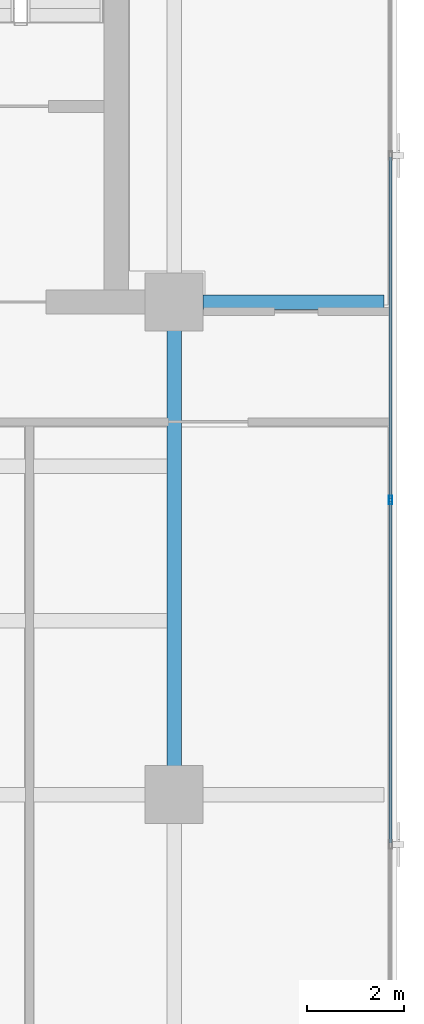
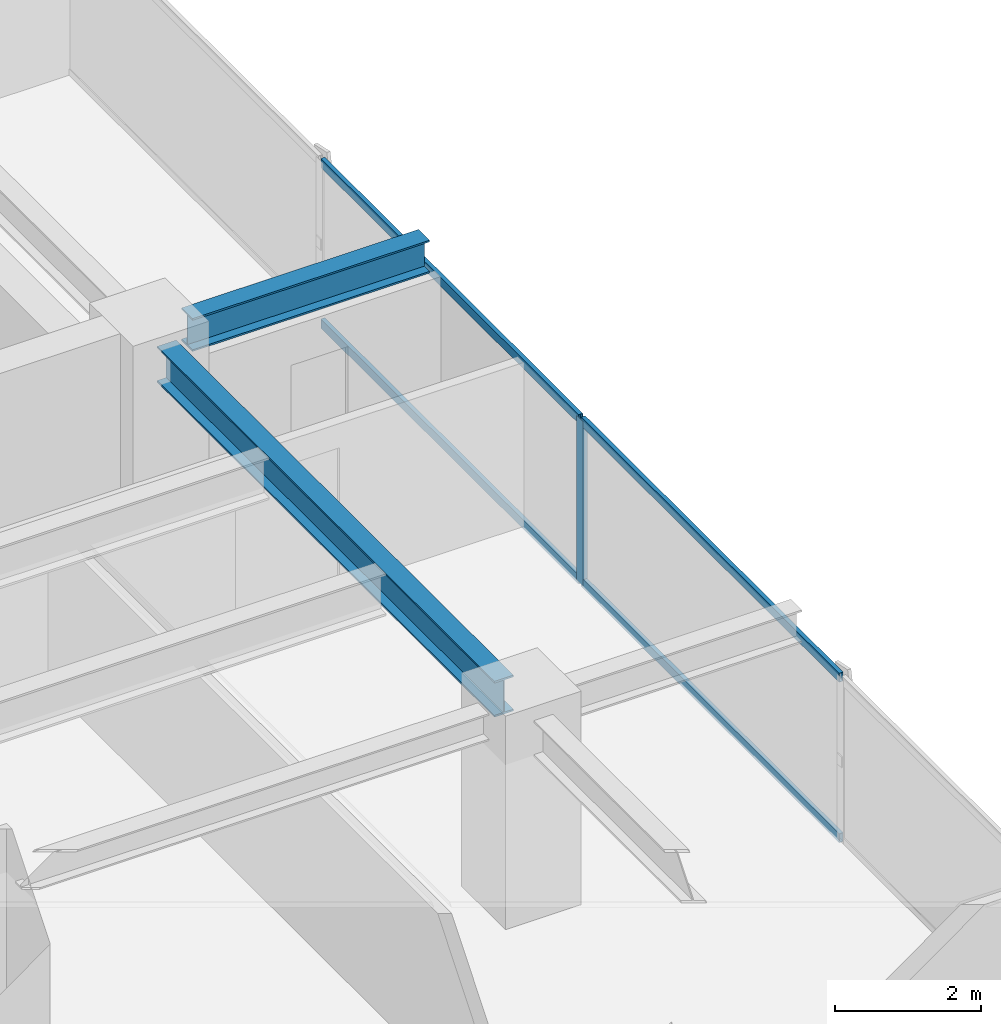
# One storey, part 9 of 22: 5 members, 2 beams, 1 element without a shape of its own.
"""IFC4 building model written with IfcOpenShell, lengths in metres."""

import ifcopenshell
import ifcopenshell.guid

model = None  # the IFC model being written
_history = None  # IfcOwnerHistory: only IFC2X3 demands one
_inside = {}  # id of a spatial element -> (the spatial element, [elements in it])
_under = {}  # id of a project, library or spatial element -> (it, [spatial elements below it])
_declared = {}  # id of a project -> (the project, [libraries it declares])
_typed = {}  # id of a type object -> (the type object, [elements of that type])
_made_of = {}  # id of a material, layer set ... -> (it, [elements and type objects made of it])


def new_model(schema):
    """Start an empty IFC model of exactly this schema.

    Asked for "IFC4X3", IfcOpenShell would pick the latest addendum, in which some entities
    have other attributes; the version numbers below select the first issue.
    IFC2X3 requires an IfcOwnerHistory on every rooted entity: one is made here for all.
    """
    global model, _history
    if schema == "IFC4X3":
        model = ifcopenshell.file(schema_version=(4, 3, 0, 0))
    else:
        model = ifcopenshell.file(schema=schema)
    _inside.clear()
    _under.clear()
    _declared.clear()
    _typed.clear()
    _made_of.clear()
    _history = None
    if model.schema == "IFC2X3":
        org = make("IfcOrganization", Name="unknown")
        user = make(
            "IfcPersonAndOrganization",
            ThePerson=make("IfcPerson", FamilyName="unknown"),
            TheOrganization=org,
        )
        app = make(
            "IfcApplication",
            ApplicationDeveloper=org,
            Version="unknown",
            ApplicationFullName="unknown",
            ApplicationIdentifier="unknown",
        )
        _history = make(
            "IfcOwnerHistory",
            OwningUser=user,
            OwningApplication=app,
            ChangeAction="ADDED",
            CreationDate=0,
        )
    return model


def make(cls, **values):
    """One entity of the class cls with the attributes given. An attribute that is None is left unset."""
    return model.create_entity(
        cls, **{name: value for name, value in values.items() if value is not None}
    )


def rooted(cls, **values):
    """An entity with a GlobalId (a new one), such as an element, a storey or a relation."""
    return make(cls, GlobalId=ifcopenshell.guid.new(), OwnerHistory=_history, **values)


def si_unit(unit_type, name, prefix=None):
    """IfcSIUnit, for example si_unit("LENGTHUNIT", "METRE", prefix="MILLI")."""
    return make("IfcSIUnit", UnitType=unit_type, Prefix=prefix, Name=name)


def assignment(units):
    """IfcUnitAssignment: the units of a project."""
    return None if units is None else make("IfcUnitAssignment", Units=units)


def point(xyz):
    """IfcCartesianPoint."""
    return None if xyz is None else make("IfcCartesianPoint", Coordinates=xyz)


def direction(xyz):
    """IfcDirection."""
    return None if xyz is None else make("IfcDirection", DirectionRatios=xyz)


def frame(location, z_axis=None, x_axis=None):
    """IfcAxis2Placement3D, a coordinate frame: its origin and axes. An axis left out is left unset."""
    return make(
        "IfcAxis2Placement3D",
        Location=point(location),
        Axis=direction(z_axis),
        RefDirection=direction(x_axis),
    )


def frame_2d(location, x_axis=None):
    """IfcAxis2Placement2D, a coordinate frame in the plane: its origin and x axis."""
    return make(
        "IfcAxis2Placement2D", Location=point(location), RefDirection=direction(x_axis)
    )


def origin():
    """The frame at (0, 0, 0) with its axes left unset."""
    return frame((0.0, 0.0, 0.0))


def origin_2d():
    """The frame at (0, 0) in the plane with its x axis left unset."""
    return frame_2d((0.0, 0.0))


def place(relative_to, where):
    """IfcLocalPlacement: puts the frame where relative to a parent placement (None: the world)."""
    return make(
        "IfcLocalPlacement", PlacementRelTo=relative_to, RelativePlacement=where
    )


def context(
    kind, dimensions, precision=None, world=None, true_north=None, identifier=None
):
    """IfcGeometricRepresentationContext, for example the 3D "Model" context."""
    return make(
        "IfcGeometricRepresentationContext",
        ContextIdentifier=identifier,
        ContextType=kind,
        CoordinateSpaceDimension=dimensions,
        Precision=precision,
        WorldCoordinateSystem=world,
        TrueNorth=true_north,
    )


def subcontext(parent, identifier, kind, view, scale=None):
    """IfcGeometricRepresentationSubContext, for example "Body" below "Model"."""
    return make(
        "IfcGeometricRepresentationSubContext",
        ContextIdentifier=identifier,
        ContextType=kind,
        ParentContext=parent,
        TargetScale=scale,
        TargetView=view,
    )


def project(units=None, contexts=None):
    """IfcProject with its units and contexts."""
    return rooted(
        "IfcProject",
        Name="project",
        RepresentationContexts=contexts,
        UnitsInContext=assignment(units),
    )


def spatial(cls, under=None, at=None, **own):
    """A site, building, storey or space (cls), placed at a placement, below another one or the project."""
    s = rooted(cls, ObjectPlacement=at, **own)
    if under is not None:
        _under.setdefault(under.id(), (under, []))[1].append(s)
    return s


def profile(cls, at=None, kind="AREA", **sizes):
    """A parametric profile (cls). Its sizes go by their IFC names, for example OverallWidth=200.0."""
    return make(cls, ProfileType=kind, Position=at, **sizes)


def hollow_rectangle(**sizes):
    """IfcRectangleHollowProfileDef."""
    return profile("IfcRectangleHollowProfileDef", **sizes)


def i_section(**sizes):
    """IfcIShapeProfileDef."""
    return profile("IfcIShapeProfileDef", **sizes)


def extrude(swept, where, along, depth):
    """IfcExtrudedAreaSolid: the profile swept, set in the frame where, extruded along a direction by depth."""
    return make(
        "IfcExtrudedAreaSolid",
        SweptArea=swept,
        Position=where,
        ExtrudedDirection=direction(along),
        Depth=depth,
    )


def shape(context_of_items, identifier, shape_type, items):
    """IfcShapeRepresentation: the items that make up one representation, for example the "Body"."""
    return make(
        "IfcShapeRepresentation",
        ContextOfItems=context_of_items,
        RepresentationIdentifier=identifier,
        RepresentationType=shape_type,
        Items=items,
    )


def source(mapping_origin, context_of_items, identifier, shape_type, items):
    """IfcRepresentationMap: a shape defined once, which mapped items show again and again."""
    return make(
        "IfcRepresentationMap",
        MappingOrigin=mapping_origin,
        MappedRepresentation=shape(context_of_items, identifier, shape_type, items),
    )


def transform(
    local_origin,
    x_axis=None,
    y_axis=None,
    z_axis=None,
    scale=None,
    scale2=None,
    scale3=None,
    uniform=True,
):
    """IfcCartesianTransformationOperator3D, or its non-uniform kind. x_axis, y_axis, z_axis: its Axis1, 2, 3."""
    if uniform:
        return make(
            "IfcCartesianTransformationOperator3D",
            Axis1=direction(x_axis),
            Axis2=direction(y_axis),
            LocalOrigin=point(local_origin),
            Scale=scale,
            Axis3=direction(z_axis),
        )
    return make(
        "IfcCartesianTransformationOperator3DnonUniform",
        Axis1=direction(x_axis),
        Axis2=direction(y_axis),
        LocalOrigin=point(local_origin),
        Scale=scale,
        Axis3=direction(z_axis),
        Scale2=scale2,
        Scale3=scale3,
    )


def mapped(mapping_source, mapping_target):
    """IfcMappedItem: shows the shape of a source again, moved by a transform."""
    return make(
        "IfcMappedItem", MappingSource=mapping_source, MappingTarget=mapping_target
    )


def material(Name=None, Category=None):
    """IfcMaterial."""
    return make("IfcMaterial", Name=Name, Category=Category)


def layer(
    of_material, thickness, ventilated=None, Name=None, Category=None, Priority=None
):
    """IfcMaterialLayer: one layer of a wall or slab, of a material (None: an air gap)."""
    return make(
        "IfcMaterialLayer",
        Material=of_material,
        LayerThickness=thickness,
        IsVentilated=ventilated,
        Name=Name,
        Category=Category,
        Priority=Priority,
    )


def layer_set(layers, Name=None):
    """IfcMaterialLayerSet."""
    return make("IfcMaterialLayerSet", MaterialLayers=layers, LayerSetName=Name)


def material_profile(
    of_material, cross_section, Name=None, Category=None, Priority=None
):
    """IfcMaterialProfile: a cross section and its material."""
    return make(
        "IfcMaterialProfile",
        Name=Name,
        Material=of_material,
        Profile=cross_section,
        Priority=Priority,
        Category=Category,
    )


def profile_set(profiles, Name=None, composite=None):
    """IfcMaterialProfileSet."""
    return make(
        "IfcMaterialProfileSet",
        Name=Name,
        MaterialProfiles=profiles,
        CompositeProfile=composite,
    )


def made_of(thing, what):
    """Note that an element or type object is made of a material, layer set ...; save() writes the relation."""
    if what is not None:
        _made_of.setdefault(what.id(), (what, []))[1].append(thing)
    return thing


def type_object(cls, material=None, **own):
    """A type object (cls), such as IfcWallType, which elements share."""
    return made_of(rooted(cls, **own), material)


def element(
    cls,
    number,
    at=None,
    inside=None,
    cuts=None,
    type_object=None,
    material=None,
    context=None,
    identifier="Body",
    shape_type=None,
    held_by="IfcProductDefinitionShape",
    body=None,
    shapes=None,
    **own,
):
    """One element of the class cls, such as IfcWall. Its Tag is "e" and its number.

    at: its placement. inside: the storey or other place that contains it. cuts: it is an
    opening in that element (IfcRelVoidsElement). A single representation is given by context,
    identifier, shape_type and body (its items); several are given by shapes. held_by: the class
    of the entity that holds the representations. save() writes the other relations.
    """
    e = rooted(cls, Tag="e%d" % number, ObjectPlacement=at, **own)
    if body is not None:
        shapes = [shape(context, identifier, shape_type, body)]
    if shapes is not None:
        e.Representation = make(held_by, Representations=shapes)
    if inside is not None:
        _inside.setdefault(inside.id(), (inside, []))[1].append(e)
    if cuts is not None:
        rooted(
            "IfcRelVoidsElement", RelatingBuildingElement=cuts, RelatedOpeningElement=e
        )
    if type_object is not None:
        _typed.setdefault(type_object.id(), (type_object, []))[1].append(e)
    return made_of(e, material)


def aggregate(whole, parts):
    """IfcRelAggregates: a whole, such as a stair, and the parts it consists of."""
    return rooted("IfcRelAggregates", RelatingObject=whole, RelatedObjects=parts)


def save(model, path):
    """Write the relations noted so far, then the file.

    IfcRelAggregates (storeys below a building ...), IfcRelContainedInSpatialStructure (elements
    in a storey), IfcRelDefinesByType, IfcRelAssociatesMaterial and IfcRelDeclares: one each for
    every whole, place, type object, material and project.
    """
    for whole, parts in _under.values():
        aggregate(whole, parts)
    for where, things in _inside.values():
        rooted(
            "IfcRelContainedInSpatialStructure",
            RelatedElements=things,
            RelatingStructure=where,
        )
    for kind, things in _typed.values():
        rooted("IfcRelDefinesByType", RelatedObjects=things, RelatingType=kind)
    for what, things in _made_of.values():
        rooted("IfcRelAssociatesMaterial", RelatedObjects=things, RelatingMaterial=what)
    for by, libraries in _declared.values():
        rooted("IfcRelDeclares", RelatingContext=by, RelatedDefinitions=libraries)
    model.write(path)


model = new_model("IFC4")

# Units and contexts
model_context = context("Model", 3, precision=1e-05, world=origin(), true_north=direction((0.0, 1.0)))
body_context = subcontext(model_context, "Body", "Model", "MODEL_VIEW")
ifc_project = project(units=[si_unit("LENGTHUNIT", "METRE"), si_unit("AREAUNIT", "SQUARE_METRE"), si_unit("VOLUMEUNIT", "CUBIC_METRE"), si_unit("PLANEANGLEUNIT", "RADIAN"), si_unit("MASSUNIT", "GRAM", prefix="KILO")], contexts=[model_context])

# Site, building, storey
site_placement = place(None, origin())
site = spatial("IfcSite", under=ifc_project, at=site_placement, CompositionType="ELEMENT")
building_placement = place(site_placement, origin())
building = spatial("IfcBuilding", under=site, at=building_placement, Name="Sumidabori Civic Tower", CompositionType="ELEMENT")
storey_placement = place(building_placement, frame((0.0, 0.0, 286.39990234375)))
storey = spatial("IfcBuildingStorey", under=building, at=storey_placement, Name="L75", CompositionType="ELEMENT", Elevation=286.39990234375)

# Beams
ifc_material_1 = material(Name="Steel SN490", Category="steel")
ifc_material_profile_1 = material_profile(ifc_material_1, i_section(OverallWidth=0.300048828125, OverallDepth=0.60009765625, WebThickness=0.015380859375, FlangeThickness=0.030029296875, at=origin_2d()), Name="HE 600 B")
ifc_profile_set_1 = profile_set([ifc_material_profile_1], Name="Steel SN490")
beam_type_1 = type_object("IfcBeamType", Name="BM-GIRD-600", PredefinedType="BEAM", material=ifc_profile_set_1)
shared_shape_1 = source(origin(), body_context, "Body", "SweptSolid", [
    extrude(i_section(OverallWidth=0.300048828125, OverallDepth=0.60009765625, WebThickness=0.015380859375, FlangeThickness=0.030029296875, at=origin_2d()), origin(), (0.0, 0.0, 1.0), 9.239990234375),
])
beam_1_placement = place(storey_placement, frame((16.800048828125, 0.47998046875, 3.070068359375), z_axis=(0.0, 1.0, 0.0), x_axis=(-1.0, 0.0, 0.0)))
element("IfcBeam", 1, at=beam_1_placement, inside=storey, type_object=beam_type_1, Name="Primary Girder L75 GY-16", PredefinedType="BEAM", context=body_context, shape_type="MappedRepresentation", body=[
    mapped(shared_shape_1, transform((0.0, 0.0, 0.0), x_axis=(1.0, 0.0, 0.0), y_axis=(0.0, 1.0, 0.0), z_axis=(0.0, 0.0, 1.0), scale=1.0)),
])
ifc_material_profile_2 = material_profile(ifc_material_1, i_section(OverallWidth=0.300048828125, OverallDepth=0.550048828125, WebThickness=0.014892578125, FlangeThickness=0.029052734375, at=origin_2d()), Name="HE 550 B")
ifc_profile_set_2 = profile_set([ifc_material_profile_2], Name="Steel SN490")
beam_type_2 = type_object("IfcBeamType", Name="BM-Z4-EDGE", PredefinedType="SPANDREL", material=ifc_profile_set_2)
shared_shape_2 = source(origin(), body_context, "Body", "SweptSolid", [
    extrude(i_section(OverallWidth=0.300048828125, OverallDepth=0.550048828125, WebThickness=0.014892578125, FlangeThickness=0.029052734375, at=origin_2d()), origin(), (0.0, 0.0, 1.0), 3.75),
])
beam_2_placement = place(storey_placement, frame((17.39990234375, 10.199951171875, 3.09521484375), z_axis=(1.0, 0.0, 0.0), x_axis=(0.0, 1.0, 0.0)))
element("IfcBeam", 2, at=beam_2_placement, inside=storey, type_object=beam_type_2, Name="Perimeter Overhang Beam L75 E-20", PredefinedType="SPANDREL", context=body_context, shape_type="MappedRepresentation", body=[
    mapped(shared_shape_2, transform((0.0, 0.0, 0.0), x_axis=(1.0, 0.0, 0.0), y_axis=(0.0, 1.0, 0.0), z_axis=(0.0, 0.0, 1.0), scale=1.0)),
])

# Curtain wall, members
ifc_material_2 = material(Name="Anodised Bronze Aluminium AW-6063-T6", Category="aluminium")
ifc_layer = layer(ifc_material_2, 0.179931640625, Name="Anodised Bronze Aluminium AW-6063-T6")
ifc_layer_set = layer_set([ifc_layer], Name="Anodised Bronze Aluminium AW-6063-T6")
curtain_wall_type = type_object("IfcCurtainWallType", Name="CW-SYS-6", PredefinedType="NOTDEFINED", material=ifc_layer_set)
curtain_wall_placement = place(storey_placement, origin())
curtain_wall = element("IfcCurtainWall", 3, at=curtain_wall_placement, inside=storey, type_object=curtain_wall_type, Name="Curtain Wall CW:L75:R04", PredefinedType="NOTDEFINED")
ifc_material_profile_3 = material_profile(ifc_material_2, hollow_rectangle(XDim=0.070068359375, YDim=0.179931640625, WallThickness=0.006103515625, at=origin_2d()), Name="ALU MULLION 180x70")
ifc_profile_set_3 = profile_set([ifc_material_profile_3], Name="Anodised Bronze Aluminium AW-6063-T6")
member_type_1 = type_object("IfcMemberType", Name="CW-MUL-180", PredefinedType="MULLION", material=ifc_profile_set_3)
shared_shape_3 = source(origin(), body_context, "Body", "SweptSolid", [
    extrude(hollow_rectangle(XDim=0.070068359375, YDim=0.179931640625, WallThickness=0.006103515625, at=origin_2d()), origin(), (0.0, 0.0, 1.0), 2.75),
])
member_1_placement = place(storey_placement, frame((21.280029296875, 6.10009765625, 0.0), z_axis=(0.0, 0.0, 1.0), x_axis=(-1.0, 0.0, 0.0)))
member_1 = element("IfcMember", 4, at=member_1_placement, type_object=member_type_1, Name="CW-6 mullion 3", PredefinedType="MULLION", context=body_context, shape_type="MappedRepresentation", body=[
    mapped(shared_shape_3, transform((0.0, 0.0, 0.0), x_axis=(1.0, 0.0, 0.0), y_axis=(0.0, 1.0, 0.0), z_axis=(0.0, 0.0, 1.0), scale=1.0)),
])
ifc_material_profile_4 = material_profile(ifc_material_2, hollow_rectangle(XDim=0.06494140625, YDim=0.14990234375, WallThickness=0.0048828125, at=origin_2d()), Name="ALU TRANSOM 150x65")
ifc_profile_set_4 = profile_set([ifc_material_profile_4], Name="Anodised Bronze Aluminium AW-6063-T6")
member_type_2 = type_object("IfcMemberType", Name="CW-TRN-150", PredefinedType="USERDEFINED", material=ifc_profile_set_4)
shared_shape_4 = source(origin(), body_context, "Body", "SweptSolid", [
    extrude(hollow_rectangle(XDim=0.06494140625, YDim=0.14990234375, WallThickness=0.0048828125, at=origin_2d()), origin(), (0.0, 0.0, 1.0), 7.06494140625),
])
member_2_placement = place(storey_placement, frame((21.280029296875, -1.0, 0.03271484375), z_axis=(0.0, 1.0, 0.0), x_axis=(-1.0, 0.0, 0.0)))
member_2 = element("IfcMember", 5, at=member_2_placement, type_object=member_type_2, Name="CW-6 transom 2.1", ObjectType="TRANSOM", PredefinedType="USERDEFINED", context=body_context, shape_type="MappedRepresentation", body=[
    mapped(shared_shape_4, transform((0.0, 0.0, 0.0), x_axis=(1.0, 0.0, 0.0), y_axis=(0.0, 1.0, 0.0), z_axis=(0.0, 0.0, 1.0), scale=1.0)),
])
member_3_placement = place(storey_placement, frame((21.280029296875, -1.0, 2.717529296875), z_axis=(0.0, 1.0, 0.0), x_axis=(-1.0, 0.0, 0.0)))
member_3 = element("IfcMember", 6, at=member_3_placement, type_object=member_type_2, Name="CW-6 transom 2.2", ObjectType="TRANSOM", PredefinedType="USERDEFINED", context=body_context, shape_type="MappedRepresentation", body=[
    mapped(shared_shape_4, transform((0.0, 0.0, 0.0), x_axis=(1.0, 0.0, 0.0), y_axis=(0.0, 1.0, 0.0), z_axis=(0.0, 0.0, 1.0), scale=1.0)),
])
member_4_placement = place(storey_placement, frame((21.280029296875, 6.135009765625, 0.03271484375), z_axis=(0.0, 1.0, 0.0), x_axis=(-1.0, 0.0, 0.0)))
member_4 = element("IfcMember", 7, at=member_4_placement, type_object=member_type_2, Name="CW-6 transom 3.1", ObjectType="TRANSOM", PredefinedType="USERDEFINED", context=body_context, shape_type="MappedRepresentation", body=[
    mapped(shared_shape_4, transform((0.0, 0.0, 0.0), x_axis=(1.0, 0.0, 0.0), y_axis=(0.0, 1.0, 0.0), z_axis=(0.0, 0.0, 1.0), scale=1.0)),
])
member_5_placement = place(storey_placement, frame((21.280029296875, 6.135009765625, 2.717529296875), z_axis=(0.0, 1.0, 0.0), x_axis=(-1.0, 0.0, 0.0)))
member_5 = element("IfcMember", 8, at=member_5_placement, type_object=member_type_2, Name="CW-6 transom 3.2", ObjectType="TRANSOM", PredefinedType="USERDEFINED", context=body_context, shape_type="MappedRepresentation", body=[
    mapped(shared_shape_4, transform((0.0, 0.0, 0.0), x_axis=(1.0, 0.0, 0.0), y_axis=(0.0, 1.0, 0.0), z_axis=(0.0, 0.0, 1.0), scale=1.0)),
])
aggregate(curtain_wall, [member_1, member_2, member_3, member_4, member_5])

save(model, "model.ifc")
